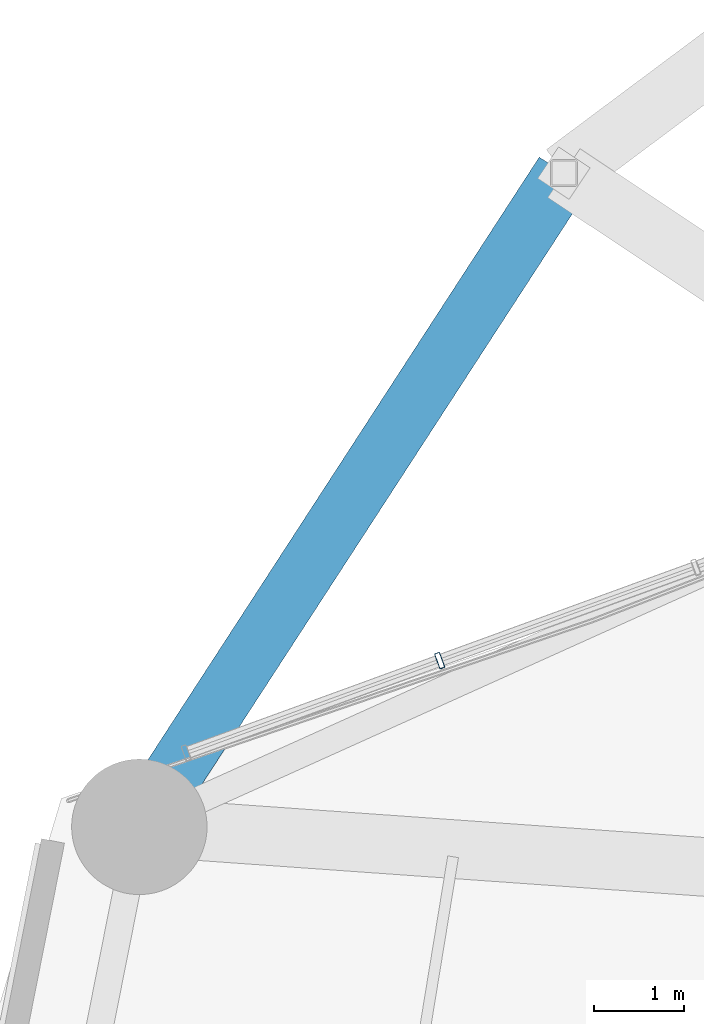
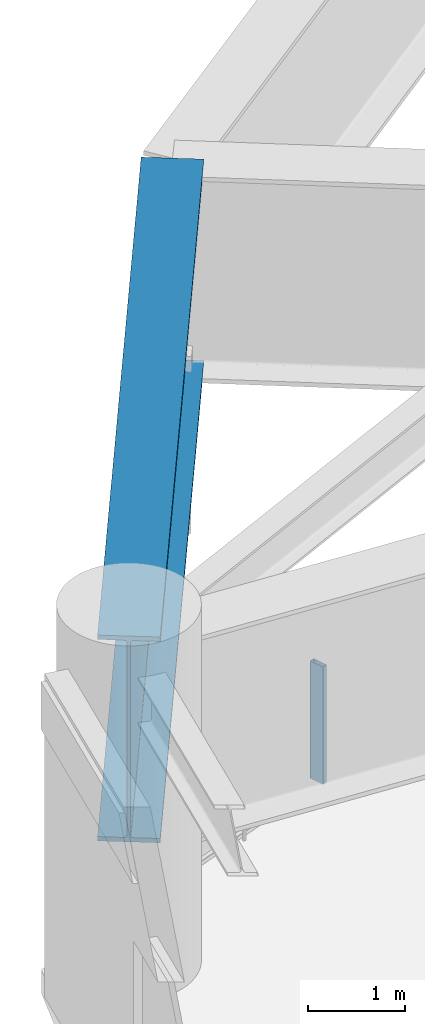
# One storey, part 29 of 53: 1 beam, 1 member, 1 element without a shape of its own.
"""IFC4 building model written with IfcOpenShell, lengths in metres."""

from ifc_helpers import new_model, si_unit, direction, frame, origin, origin_2d, place, context, subcontext, project, spatial, hollow_rectangle, i_section, extrude, material, layer, layer_set, material_profile, profile_set, type_object, element, aggregate, save


model = new_model("IFC4")

# Units and contexts
model_context = context("Model", 3, precision=1e-05, world=origin(), true_north=direction((0.0, 1.0)))
body_context = subcontext(model_context, "Body", "Model", "MODEL_VIEW")
ifc_project = project(units=[si_unit("LENGTHUNIT", "METRE"), si_unit("AREAUNIT", "SQUARE_METRE"), si_unit("VOLUMEUNIT", "CUBIC_METRE"), si_unit("PLANEANGLEUNIT", "RADIAN"), si_unit("MASSUNIT", "GRAM", prefix="KILO")], contexts=[model_context])

# Site, building, storey
site_placement = place(None, origin())
site = spatial("IfcSite", under=ifc_project, at=site_placement, CompositionType="ELEMENT")
building_placement = place(site_placement, origin())
building = spatial("IfcBuilding", under=site, at=building_placement, Name="Kelanora Arch Commons", CompositionType="ELEMENT")
storey_placement = place(building_placement, frame((0.0, 0.0, 9.0)))
storey = spatial("IfcBuildingStorey", under=building, at=storey_placement, Name="L02", CompositionType="ELEMENT", Elevation=9.0)

# Beam
ifc_material_1 = material(Name="Steel S355", Category="steel")
ifc_material_profile_1 = material_profile(ifc_material_1, i_section(OverallWidth=0.64990234375, OverallDepth=2.60009765625, WebThickness=0.034912109375, FlangeThickness=0.054931640625, FilletRadius=0.028076171875, at=origin_2d()), Name="PG2600x650")
ifc_profile_set_1 = profile_set([ifc_material_profile_1], Name="Steel S355")
beam_type = type_object("IfcBeamType", Name="BM-XFER-ARCH", PredefinedType="USERDEFINED", material=ifc_profile_set_1)
beam_placement = place(storey_placement, frame((53.255615234375, 73.478271484375, 2.800048828125), z_axis=(-0.544585813928, -0.838705127722, 0.0), x_axis=(0.838705127722, -0.544585813928, 0.0)))
element("IfcBeam", 1, at=beam_placement, inside=storey, type_object=beam_type, Name="Perimeter Spandrel Beam BS-14 L02", ObjectType="TRANSFER_GIRDER", PredefinedType="USERDEFINED", context=body_context, shape_type="SweptSolid", body=[
    extrude(i_section(OverallWidth=0.64990234375, OverallDepth=2.60009765625, WebThickness=0.034912109375, FlangeThickness=0.054931640625, FilletRadius=0.028076171875, at=origin_2d()), origin(), (0.0, 0.0, 1.0), 8.63525390625),
])

# Curtain wall, member
ifc_material_2 = material(Name="Terracotta ceramic-fritted low-E glass and aluminium", Category="masonry")
ifc_layer = layer(ifc_material_2, 0.2099609375)
ifc_layer_set = layer_set([ifc_layer], Name="Terracotta ceramic-fritted low-E glass and aluminium")
curtain_wall_type = type_object("IfcCurtainWallType", Name="CW-SYS-04", PredefinedType="NOTDEFINED", material=ifc_layer_set)
curtain_wall_placement = place(storey_placement, origin())
curtain_wall = element("IfcCurtainWall", 2, at=curtain_wall_placement, inside=storey, type_object=curtain_wall_type, Name="Unitised Curtain Wall L02-B07", PredefinedType="NOTDEFINED")
ifc_material_3 = material(Name="Powder-coated aluminium terracotta", Category="masonry")
ifc_material_profile_2 = material_profile(ifc_material_3, hollow_rectangle(XDim=0.179931640625, YDim=0.06005859375, WallThickness=0.0048828125, InnerFilletRadius=0.0048828125, OuterFilletRadius=0.010009765625, at=origin_2d()), Name="CWM180x60")
ifc_profile_set_2 = profile_set([ifc_material_profile_2], Name="Powder-coated aluminium terracotta")
member_type = type_object("IfcMemberType", Name="CWM-HVY", PredefinedType="MULLION", material=ifc_profile_set_2)
member_placement = place(storey_placement, frame((51.880126953125, 68.07763671875, 0.0), z_axis=(0.0, 0.0, 1.0), x_axis=(0.342318215206, -0.939584077951, 0.0)))
member = element("IfcMember", 3, at=member_placement, type_object=member_type, Name="CW-04 mullion 3", PredefinedType="MULLION", context=body_context, shape_type="SweptSolid", body=[
    extrude(hollow_rectangle(XDim=0.179931640625, YDim=0.06005859375, WallThickness=0.0048828125, InnerFilletRadius=0.0048828125, OuterFilletRadius=0.010009765625, at=origin_2d()), origin(), (0.0, 0.0, 1.0), 1.47998046875),
])
aggregate(curtain_wall, [member])

save(model, "model.ifc")
